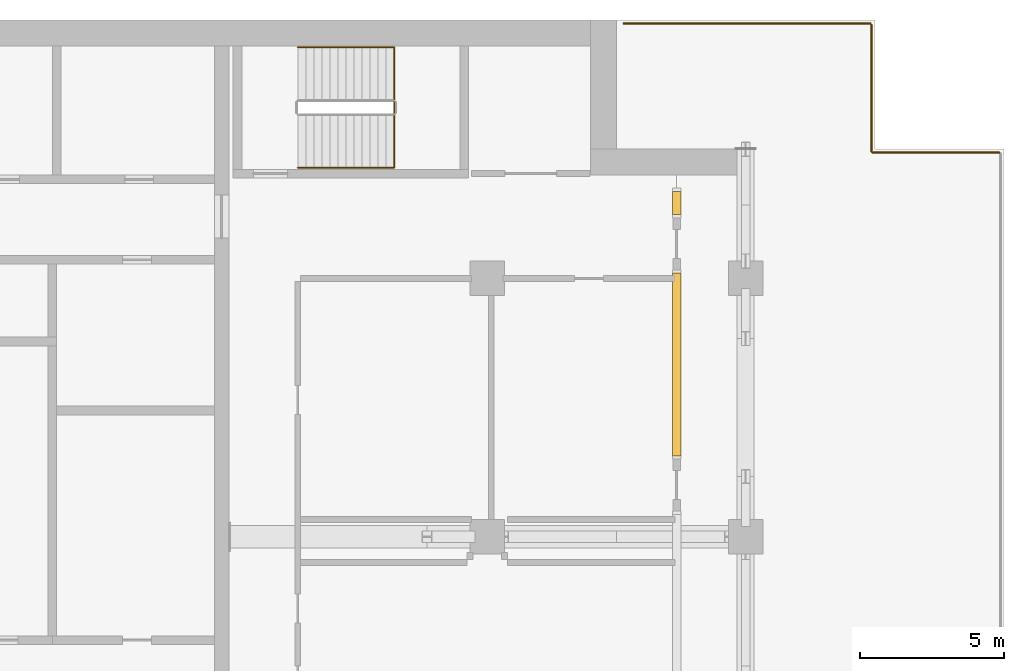
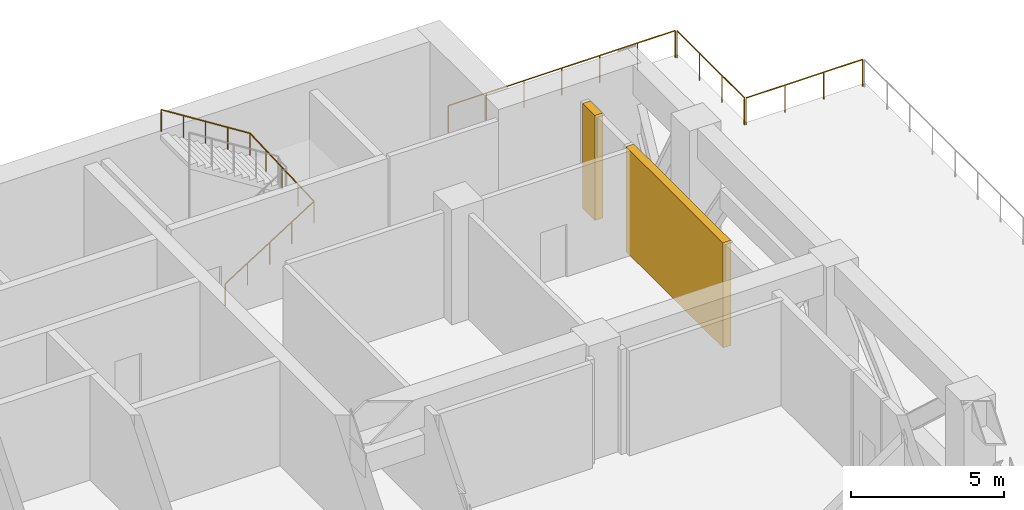
# One storey, part 20 of 20: 4 railings, 2 shading devices.
"""IFC4 building model written with IfcOpenShell, lengths in metres."""

from ifc_helpers import new_model, si_unit, direction, frame, origin, origin_2d, place, context, subcontext, project, spatial, rectangle, circle, extrude, material, layer, layer_set, type_object, element, save


model = new_model("IFC4")

# Units and contexts
model_context = context("Model", 3, precision=1e-05, world=origin(), true_north=direction((0.0, 1.0)))
body_context = subcontext(model_context, "Body", "Model", "MODEL_VIEW")
ifc_project = project(units=[si_unit("LENGTHUNIT", "METRE"), si_unit("AREAUNIT", "SQUARE_METRE"), si_unit("VOLUMEUNIT", "CUBIC_METRE"), si_unit("PLANEANGLEUNIT", "RADIAN"), si_unit("MASSUNIT", "GRAM", prefix="KILO")], contexts=[model_context])

# Site, building, storey
site_placement = place(None, origin())
site = spatial("IfcSite", under=ifc_project, at=site_placement, CompositionType="ELEMENT")
building_placement = place(site_placement, origin())
building = spatial("IfcBuilding", under=site, at=building_placement, Name="Hunhe Ridgeline Campus", CompositionType="ELEMENT")
storey_placement = place(building_placement, frame((0.0, 0.0, 178.199951171875)))
storey = spatial("IfcBuildingStorey", under=building, at=storey_placement, Name="L45", CompositionType="ELEMENT", Elevation=178.199951171875)

# Railings
ifc_material_1 = material(Name="Steel Q355", Category="steel")
railing_type_1 = type_object("IfcRailingType", Name="Loggia guard 1100 Steel Q355", PredefinedType="GUARDRAIL", material=ifc_material_1)
railing_1_placement = place(storey_placement, frame((49.75, 98.8798828125, 0.080078125)))
element("IfcRailing", 1, at=railing_1_placement, inside=storey, type_object=railing_type_1, Name="Terrace guard 1", PredefinedType="GUARDRAIL", context=body_context, shape_type="SweptSolid", body=[
    extrude(circle(Radius=0.02392578125, at=origin_2d()), frame((0.0, 0.0, 1.076171875), z_axis=(1.0, 0.0, 0.0), x_axis=(0.0, 1.0, 0.0)), (0.0, 0.0, 1.0), 8.590087890625),
    extrude(circle(Radius=0.02099609375, at=origin_2d()), origin(), (0.0, 0.0, 1.0), 1.052001953125),
    extrude(circle(Radius=0.02099609375, at=origin_2d()), frame((1.431640625, 0.0, 0.0)), (0.0, 0.0, 1.0), 1.052001953125),
    extrude(circle(Radius=0.02099609375, at=origin_2d()), frame((2.86328125, 0.0, 0.0)), (0.0, 0.0, 1.0), 1.052001953125),
    extrude(circle(Radius=0.02099609375, at=origin_2d()), frame((4.294921875, 0.0, 0.0)), (0.0, 0.0, 1.0), 1.052001953125),
    extrude(circle(Radius=0.02099609375, at=origin_2d()), frame((5.726806640625, 0.0, 0.0)), (0.0, 0.0, 1.0), 1.052001953125),
    extrude(circle(Radius=0.02099609375, at=origin_2d()), frame((7.158447265625, 0.0, 0.0)), (0.0, 0.0, 1.0), 1.052001953125),
    extrude(circle(Radius=0.02099609375, at=origin_2d()), frame((8.590087890625, 0.0, 0.0)), (0.0, 0.0, 1.0), 1.052001953125),
])
railing_2_placement = place(storey_placement, frame((58.3798828125, 98.840087890625, 0.080078125)))
element("IfcRailing", 2, at=railing_2_placement, inside=storey, type_object=railing_type_1, Name="Terrace guard 2", PredefinedType="GUARDRAIL", context=body_context, shape_type="SweptSolid", body=[
    extrude(circle(Radius=0.02392578125, at=origin_2d()), frame((0.0, 0.0, 1.076171875), z_axis=(0.000110478925, -0.999999993897, 0.0), x_axis=(0.999999993897, 0.000110478925, 0.0)), (0.0, 0.0, 1.0), 4.419677734375),
    extrude(circle(Radius=0.02099609375, at=origin_2d()), origin(), (0.0, 0.0, 1.0), 1.052001953125),
    extrude(circle(Radius=0.02099609375, at=origin_2d()), frame((0.000244140625, -1.47314453125, 0.0)), (0.0, 0.0, 1.0), 1.052001953125),
    extrude(circle(Radius=0.02099609375, at=origin_2d()), frame((0.000244140625, -2.946533203125, 0.0)), (0.0, 0.0, 1.0), 1.052001953125),
    extrude(circle(Radius=0.02099609375, at=origin_2d()), frame((0.00048828125, -4.419677734375, 0.0)), (0.0, 0.0, 1.0), 1.052001953125),
])
railing_3_placement = place(storey_placement, frame((58.42041015625, 94.38037109375, 0.080078125)))
element("IfcRailing", 3, at=railing_3_placement, inside=storey, type_object=railing_type_1, Name="Terrace guard 3", PredefinedType="GUARDRAIL", context=body_context, shape_type="SweptSolid", body=[
    extrude(circle(Radius=0.02392578125, at=origin_2d()), frame((0.0, 0.0, 1.076171875), z_axis=(0.999999993897, -0.000110478925, 0.0), x_axis=(0.000110478925, 0.999999993897, 0.0)), (0.0, 0.0, 1.0), 4.419677734375),
    extrude(circle(Radius=0.02099609375, at=origin_2d()), origin(), (0.0, 0.0, 1.0), 1.052001953125),
    extrude(circle(Radius=0.02099609375, at=origin_2d()), frame((1.47314453125, -0.000244140625, 0.0)), (0.0, 0.0, 1.0), 1.052001953125),
    extrude(circle(Radius=0.02099609375, at=origin_2d()), frame((2.946533203125, -0.000244140625, 0.0)), (0.0, 0.0, 1.0), 1.052001953125),
    extrude(circle(Radius=0.02099609375, at=origin_2d()), frame((4.419677734375, -0.00048828125, 0.0)), (0.0, 0.0, 1.0), 1.052001953125),
])

# Shading devices
ifc_material_2 = material(Name="Aluminium 6063", Category="aluminium")
ifc_layer = layer(ifc_material_2, 0.300048828125)
ifc_layer_set = layer_set([ifc_layer], Name="Louvre bank 300 Aluminium 6063")
shading_device_type = type_object("IfcShadingDeviceType", Name="Louvre bank 300 Aluminium 6063", PredefinedType="USERDEFINED", material=ifc_layer_set)
shading_device_1_placement = place(storey_placement, frame((51.59912109375, 87.000244140625, 0.0), z_axis=(0.0, 0.0, 1.0), x_axis=(0.0, 1.0, 0.0)))
element("IfcShadingDevice", 4, at=shading_device_1_placement, inside=storey, type_object=shading_device_type, Name="Louvre bank 23", ObjectType="LOUVRE", PredefinedType="USERDEFINED", context=body_context, shape_type="SweptSolid", body=[
    extrude(rectangle(XDim=6.35986328125, YDim=0.300048828125, at=origin_2d()), origin(), (0.0, 0.0, 1.0), 4.199951171875),
])
shading_device_2_placement = place(storey_placement, frame((51.59912109375, 92.625, 0.0), z_axis=(0.0, 0.0, 1.0), x_axis=(0.0, 1.0, 0.0)))
element("IfcShadingDevice", 5, at=shading_device_2_placement, inside=storey, type_object=shading_device_type, Name="Louvre bank 24", ObjectType="LOUVRE", PredefinedType="USERDEFINED", context=body_context, shape_type="SweptSolid", body=[
    extrude(rectangle(XDim=0.809814453125, YDim=0.300048828125, at=origin_2d()), origin(), (0.0, 0.0, 1.0), 4.199951171875),
])

# Railing
ifc_material_3 = material(Name="Stainless steel handrail", Category="steel")
railing_type_2 = type_object("IfcRailingType", Name="Stair handrail 900 stainless", PredefinedType="HANDRAIL", material=ifc_material_3)
railing_4_placement = place(storey_placement, frame((38.39990234375, 93.85009765625, 0.177001953125)))
element("IfcRailing", 6, at=railing_4_placement, inside=storey, type_object=railing_type_2, Name="L45 stair E1 handrail", PredefinedType="HANDRAIL", context=body_context, shape_type="SweptSolid", body=[
    extrude(circle(Radius=0.02392578125, at=origin_2d()), frame((0.0, 0.0, 0.8759765625), z_axis=(0.845389635667, 0.0, 0.534150132366), x_axis=(0.0, 1.0, 0.0)), (0.0, 0.0, 1.0), 3.974609375),
    extrude(circle(Radius=0.02392578125, at=origin_2d()), frame((3.360107421875, 0.0, 2.9990234375), z_axis=(0.0, 0.999113130752, 0.042106436075), x_axis=(-1.0, 0.0, 0.0)), (0.0, 0.0, 1.0), 4.20361328125),
    extrude(circle(Radius=0.02392578125, at=origin_2d()), frame((3.360107421875, 4.199951171875, 3.17578125), z_axis=(-0.845389635667, 0.0, 0.534150132366), x_axis=(0.0, -1.0, 0.0)), (0.0, 0.0, 1.0), 3.974609375),
    extrude(circle(Radius=0.02099609375, at=origin_2d()), origin(), (0.0, 0.0, 1.0), 0.851806640625),
    extrude(circle(Radius=0.02099609375, at=origin_2d()), frame((0.840087890625, 0.0, 0.53076171875)), (0.0, 0.0, 1.0), 0.851806640625),
    extrude(circle(Radius=0.02099609375, at=origin_2d()), frame((1.68017578125, 0.0, 1.0615234375)), (0.0, 0.0, 1.0), 0.851806640625),
    extrude(circle(Radius=0.02099609375, at=origin_2d()), frame((2.52001953125, 0.0, 1.59228515625)), (0.0, 0.0, 1.0), 0.851806640625),
    extrude(circle(Radius=0.02099609375, at=origin_2d()), frame((3.360107421875, 0.0, 2.123046875)), (0.0, 0.0, 1.0), 0.851806640625),
    extrude(circle(Radius=0.02099609375, at=origin_2d()), frame((3.360107421875, 1.050048828125, 2.167236328125)), (0.0, 0.0, 1.0), 0.851806640625),
    extrude(circle(Radius=0.02099609375, at=origin_2d()), frame((3.360107421875, 2.10009765625, 2.21142578125)), (0.0, 0.0, 1.0), 0.851806640625),
    extrude(circle(Radius=0.02099609375, at=origin_2d()), frame((3.360107421875, 3.14990234375, 2.255859375)), (0.0, 0.0, 1.0), 0.851806640625),
    extrude(circle(Radius=0.02099609375, at=origin_2d()), frame((3.360107421875, 4.199951171875, 2.300048828125)), (0.0, 0.0, 1.0), 0.851806640625),
    extrude(circle(Radius=0.02099609375, at=origin_2d()), frame((2.52001953125, 4.199951171875, 2.830810546875)), (0.0, 0.0, 1.0), 0.851806640625),
    extrude(circle(Radius=0.02099609375, at=origin_2d()), frame((1.68017578125, 4.199951171875, 3.361572265625)), (0.0, 0.0, 1.0), 0.851806640625),
    extrude(circle(Radius=0.02099609375, at=origin_2d()), frame((0.840087890625, 4.199951171875, 3.892333984375)), (0.0, 0.0, 1.0), 0.851806640625),
    extrude(circle(Radius=0.02099609375, at=origin_2d()), frame((0.0, 4.199951171875, 4.423095703125)), (0.0, 0.0, 1.0), 0.851806640625),
])

save(model, "model.ifc")
